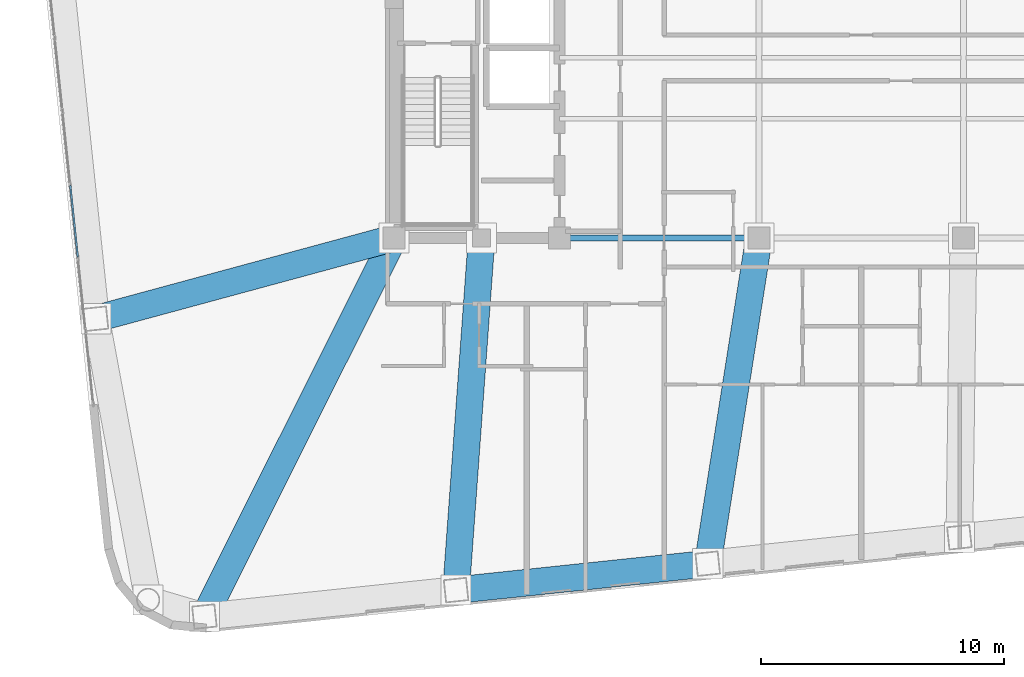
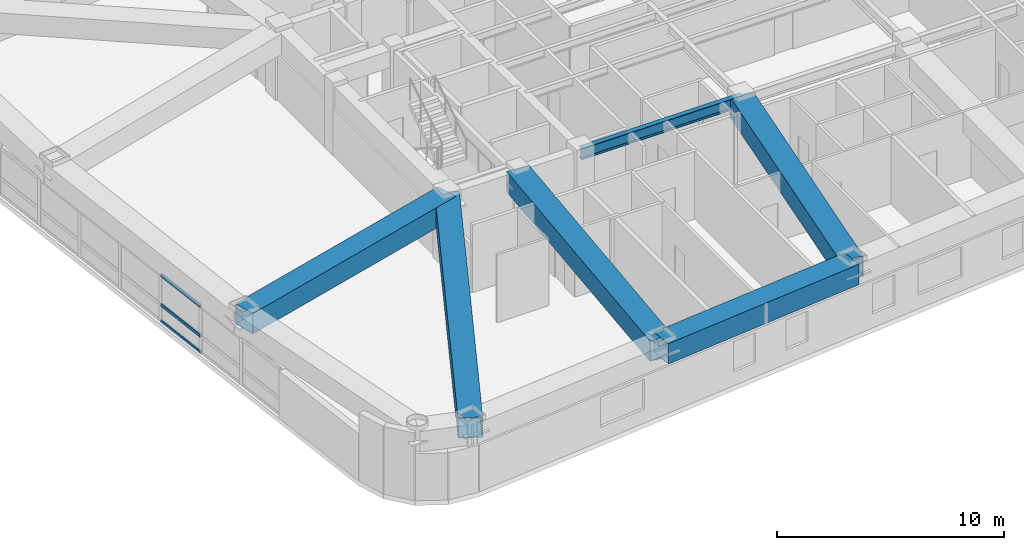
# One storey, part 3 of 14: 6 beams, 3 members, 1 element without a shape of its own.
"""IFC4 building model written with IfcOpenShell, lengths in metres."""

from ifc_helpers import new_model, si_unit, direction, frame, origin, origin_2d, place, context, subcontext, project, spatial, hollow_rectangle, i_section, extrude, material, layer, layer_set, material_profile, profile_set, type_object, element, aggregate, save


model = new_model("IFC4")

# Units and contexts
model_context = context("Model", 3, precision=1e-05, world=origin(), true_north=direction((0.0, 1.0)))
body_context = subcontext(model_context, "Body", "Model", "MODEL_VIEW")
ifc_project = project(units=[si_unit("LENGTHUNIT", "METRE"), si_unit("AREAUNIT", "SQUARE_METRE"), si_unit("VOLUMEUNIT", "CUBIC_METRE"), si_unit("PLANEANGLEUNIT", "RADIAN"), si_unit("MASSUNIT", "GRAM", prefix="KILO")], contexts=[model_context])

# Site, building, storey
site_placement = place(None, origin())
site = spatial("IfcSite", under=ifc_project, at=site_placement, CompositionType="ELEMENT")
building_placement = place(site_placement, origin())
building = spatial("IfcBuilding", under=site, at=building_placement, Name="Voryun Gate Residences", CompositionType="ELEMENT")
storey_placement = place(building_placement, frame((0.0, 0.0, 144.300048828125)))
storey = spatial("IfcBuildingStorey", under=building, at=storey_placement, Name="L35", CompositionType="ELEMENT", Elevation=144.300048828125)

# Beams
ifc_material_1 = material(Name="Steel SM420", Category="steel")
ifc_material_profile_1 = material_profile(ifc_material_1, hollow_rectangle(XDim=1.10009765625, YDim=1.10009765625, WallThickness=0.035888671875, at=origin_2d()), Name="BOX-1100x1100x36")
ifc_profile_set_1 = profile_set([ifc_material_profile_1], Name="Steel SM420")
beam_type_1 = type_object("IfcBeamType", Name="BM_ARCH_RIB", PredefinedType="USERDEFINED", material=ifc_profile_set_1)
beam_1_placement = place(storey_placement, frame((-16.650146484375, -21.87255859375, 3.099853515625), z_axis=(0.994521263116, 0.104534478571, 0.0), x_axis=(-0.104534478571, 0.994521263116, 0.0)))
element("IfcBeam", 1, at=beam_1_placement, inside=storey, type_object=beam_type_1, Name="BM-L35-SPAND-02", ObjectType="GIRDER", PredefinedType="USERDEFINED", context=body_context, shape_type="SweptSolid", body=[
    extrude(hollow_rectangle(XDim=1.10009765625, YDim=1.10009765625, WallThickness=0.035888671875, at=origin_2d()), origin(), (0.0, 0.0, 1.0), 10.39990234375),
])
beam_2_placement = place(storey_placement, frame((-19.199951171875, -7.39990234375, 3.099853515625), z_axis=(-0.447830780254, -0.894118332357, 0.0), x_axis=(0.894118332357, -0.447830780254, 0.0)))
element("IfcBeam", 2, at=beam_2_placement, inside=storey, type_object=beam_type_1, Name="BM-L35-RAD-S1", ObjectType="GIRDER", PredefinedType="USERDEFINED", context=body_context, shape_type="SweptSolid", body=[
    extrude(hollow_rectangle(XDim=1.10009765625, YDim=1.10009765625, WallThickness=0.035888671875, at=origin_2d()), origin(), (0.0, 0.0, 1.0), 17.402099609375),
])
beam_3_placement = place(storey_placement, frame((-15.60009765625, -7.39990234375, 3.099853515625), z_axis=(-0.072363766769, -0.99737830599, 0.0), x_axis=(0.99737830599, -0.072363766769, 0.0)))
element("IfcBeam", 3, at=beam_3_placement, inside=storey, type_object=beam_type_1, Name="BM-L35-RAD-S2", ObjectType="GIRDER", PredefinedType="USERDEFINED", context=body_context, shape_type="SweptSolid", body=[
    extrude(hollow_rectangle(XDim=1.10009765625, YDim=1.10009765625, WallThickness=0.035888671875, at=origin_2d()), origin(), (0.0, 0.0, 1.0), 14.5107421875),
])
beam_4_placement = place(storey_placement, frame((-4.199951171875, -7.39990234375, 3.099853515625), z_axis=(-0.155507352157, -0.987834734875, 0.0), x_axis=(0.987834734875, -0.155507352157, 0.0)))
element("IfcBeam", 4, at=beam_4_placement, inside=storey, type_object=beam_type_1, Name="BM-L35-RAD-S3", ObjectType="GIRDER", PredefinedType="USERDEFINED", context=body_context, shape_type="SweptSolid", body=[
    extrude(hollow_rectangle(XDim=1.10009765625, YDim=1.10009765625, WallThickness=0.035888671875, at=origin_2d()), origin(), (0.0, 0.0, 1.0), 13.55029296875),
])
beam_5_placement = place(storey_placement, frame((-19.199951171875, -7.39990234375, 3.099853515625), z_axis=(-0.965202497616, -0.261503611058, 0.0), x_axis=(0.261503611058, -0.965202497616, 0.0)))
element("IfcBeam", 5, at=beam_5_placement, inside=storey, type_object=beam_type_1, Name="BM-L35-RAD-W2", ObjectType="GIRDER", PredefinedType="USERDEFINED", context=body_context, shape_type="SweptSolid", body=[
    extrude(hollow_rectangle(XDim=1.10009765625, YDim=1.10009765625, WallThickness=0.035888671875, at=origin_2d()), origin(), (0.0, 0.0, 1.0), 12.688720703125),
])
ifc_material_2 = material(Name="Steel SM355", Category="steel")
ifc_material_profile_2 = material_profile(ifc_material_2, i_section(OverallWidth=0.25, OverallDepth=0.60009765625, WebThickness=0.011962890625, FlangeThickness=0.02197265625, FilletRadius=0.01806640625, at=origin_2d()), Name="H-600x250x12x22")
ifc_profile_set_2 = profile_set([ifc_material_profile_2], Name="Steel SM355")
beam_type_2 = type_object("IfcBeamType", Name="BM_GIRD_600", PredefinedType="USERDEFINED", material=ifc_profile_set_2)
beam_6_placement = place(storey_placement, frame((-12.39990234375, -7.39990234375, 3.349853515625), z_axis=(1.0, 0.0, 0.0), x_axis=(0.0, 1.0, 0.0)))
element("IfcBeam", 6, at=beam_6_placement, inside=storey, type_object=beam_type_2, Name="BM-L35-SPG1-S", ObjectType="GIRDER", PredefinedType="USERDEFINED", context=body_context, shape_type="SweptSolid", body=[
    extrude(i_section(OverallWidth=0.25, OverallDepth=0.60009765625, WebThickness=0.011962890625, FlangeThickness=0.02197265625, FilletRadius=0.01806640625, at=origin_2d()), origin(), (0.0, 0.0, 1.0), 8.199951171875),
])

# Curtain wall, members
ifc_material_3 = material(Name="Anodised aluminium", Category="aluminium")
ifc_layer = layer(ifc_material_3, 0.2099609375, Name="CW_SYS_SKYGARDEN_DARK_GLASS")
ifc_layer_set = layer_set([ifc_layer], Name="Anodised aluminium")
curtain_wall_type = type_object("IfcCurtainWallType", Name="CW_SYS_SKYGARDEN_DARK_GLASS", PredefinedType="NOTDEFINED", material=ifc_layer_set)
curtain_wall_placement = place(storey_placement, origin())
curtain_wall = element("IfcCurtainWall", 7, at=curtain_wall_placement, inside=storey, type_object=curtain_wall_type, Name="Curtain wall CW5-L35-SG-06", PredefinedType="NOTDEFINED")
ifc_material_4 = material(Name="Anodised aluminium", Category="aluminium")
ifc_material_profile_3 = material_profile(ifc_material_4, hollow_rectangle(XDim=0.074951171875, YDim=0.169921875, WallThickness=0.0048828125, at=origin_2d()), Name="ALU-TRAN-170x75x5")
ifc_profile_set_3 = profile_set([ifc_material_profile_3], Name="Anodised aluminium")
member_type = type_object("IfcMemberType", Name="CW_TRAN_SKY", PredefinedType="USERDEFINED", material=ifc_profile_set_3)
member_1_placement = place(storey_placement, frame((-32.1953125, -8.19091796875, 0.030029296875), z_axis=(-0.104560790128, 0.994518497147, 0.0), x_axis=(-0.994518497147, -0.104560790128, 0.0)))
member_1 = element("IfcMember", 8, at=member_1_placement, type_object=member_type, Name="CW5 transom 3.1", ObjectType="TRANSOM", PredefinedType="USERDEFINED", context=body_context, shape_type="SweptSolid", body=[
    extrude(hollow_rectangle(XDim=0.074951171875, YDim=0.169921875, WallThickness=0.0048828125, at=origin_2d()), origin(), (0.0, 0.0, 1.0), 2.972412109375),
])
member_2_placement = place(storey_placement, frame((-32.1953125, -8.19091796875, 0.914306640625), z_axis=(-0.104560790128, 0.994518497147, 0.0), x_axis=(-0.994518497147, -0.104560790128, 0.0)))
member_2 = element("IfcMember", 9, at=member_2_placement, type_object=member_type, Name="CW5 transom 3.2", ObjectType="TRANSOM", PredefinedType="USERDEFINED", context=body_context, shape_type="SweptSolid", body=[
    extrude(hollow_rectangle(XDim=0.074951171875, YDim=0.169921875, WallThickness=0.0048828125, at=origin_2d()), origin(), (0.0, 0.0, 1.0), 2.972412109375),
])
member_3_placement = place(storey_placement, frame((-32.1953125, -8.19091796875, 2.510009765625), z_axis=(-0.104560790128, 0.994518497147, 0.0), x_axis=(-0.994518497147, -0.104560790128, 0.0)))
member_3 = element("IfcMember", 10, at=member_3_placement, type_object=member_type, Name="CW5 transom 3.3", ObjectType="TRANSOM", PredefinedType="USERDEFINED", context=body_context, shape_type="SweptSolid", body=[
    extrude(hollow_rectangle(XDim=0.074951171875, YDim=0.169921875, WallThickness=0.0048828125, at=origin_2d()), origin(), (0.0, 0.0, 1.0), 2.972412109375),
])
aggregate(curtain_wall, [member_1, member_2, member_3])

save(model, "model.ifc")
